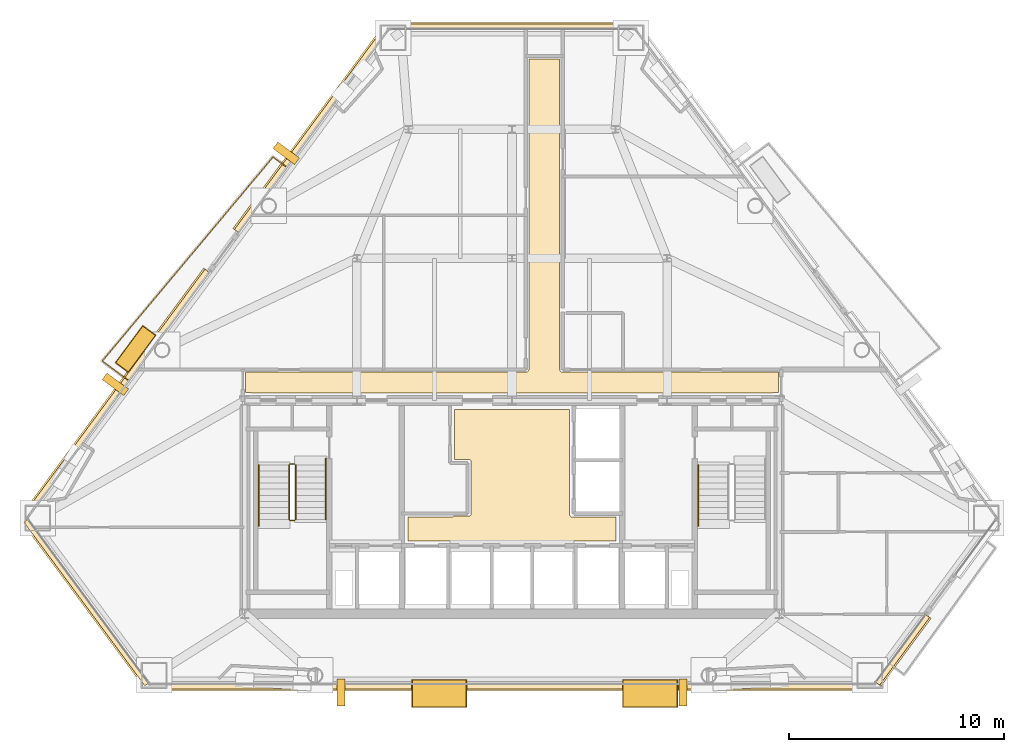
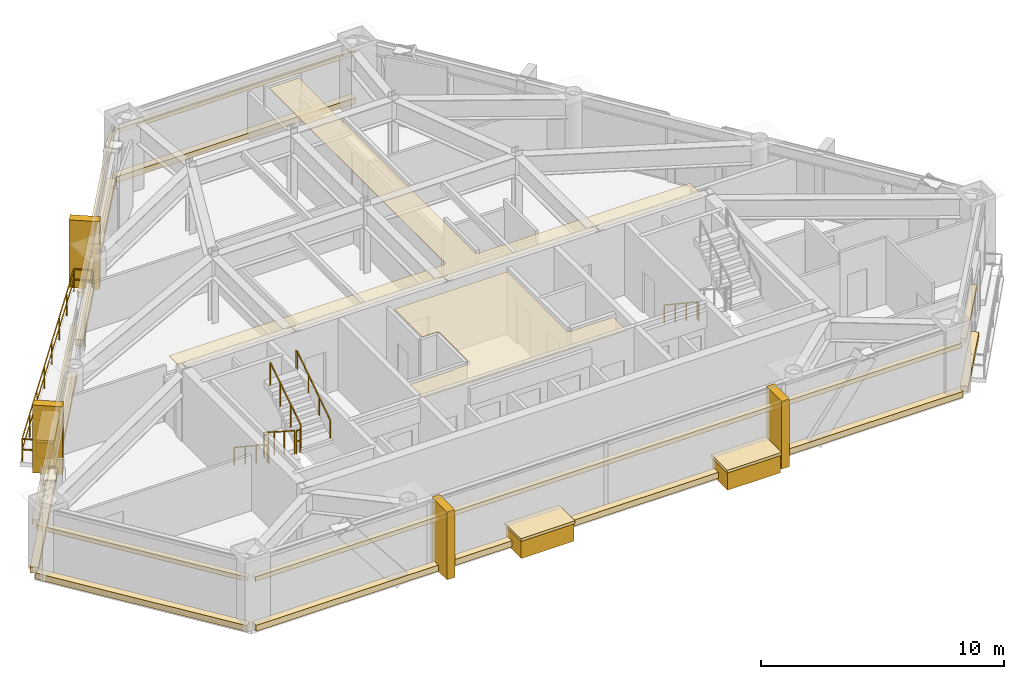
# One storey, part 10 of 11: 24 coverings, 8 railings.
"""IFC4 building model written with IfcOpenShell, lengths in metres."""

from ifc_helpers import new_model, si_unit, direction, frame, origin, origin_2d, place, context, subcontext, project, spatial, polyline, rectangle, outline, extrude, material, layer, layer_set, type_object, element, save


model = new_model("IFC4")

# Units and contexts
model_context = context("Model", 3, precision=1e-05, world=origin(), true_north=direction((0.0, 1.0)))
body_context = subcontext(model_context, "Body", "Model", "MODEL_VIEW")
ifc_project = project(units=[si_unit("LENGTHUNIT", "METRE"), si_unit("AREAUNIT", "SQUARE_METRE"), si_unit("VOLUMEUNIT", "CUBIC_METRE"), si_unit("PLANEANGLEUNIT", "RADIAN"), si_unit("MASSUNIT", "GRAM", prefix="KILO")], contexts=[model_context])

# Site, building, storey
site_placement = place(None, origin())
site = spatial("IfcSite", under=ifc_project, at=site_placement, CompositionType="ELEMENT")
building_placement = place(site_placement, origin())
building = spatial("IfcBuilding", under=site, at=building_placement, Name="Talgorran Terracotta Tower", CompositionType="ELEMENT")
storey_placement = place(building_placement, frame((0.0, 0.0, 125.699951171875)))
storey = spatial("IfcBuildingStorey", under=building, at=storey_placement, Name="L32", CompositionType="ELEMENT", Elevation=125.699951171875)

# Coverings
ifc_material_1 = material(Name="Kiln-Fired Terracotta Ochre Ceramic", Category="masonry")
ifc_layer_1 = layer(ifc_material_1, 0.179931640625, Name="COV_BAGUETTE_TERRACOTTA_SCREEN")
ifc_layer_set_1 = layer_set([ifc_layer_1], Name="Kiln-Fired Terracotta Ochre Ceramic")
covering_type_1 = type_object("IfcCoveringType", Name="COV_BAGUETTE_TERRACOTTA_SCREEN", PredefinedType="CLADDING", material=ifc_layer_set_1)
covering_1_placement = place(storey_placement, frame((-19.748291015625, -13.572021484375, 2.41015625), z_axis=(0.0, 0.0, 1.0), x_axis=(0.594640382106, -0.803991800934, 0.0)))
element("IfcCovering", 1, at=covering_1_placement, inside=storey, type_object=covering_type_1, Name="L32 Terracotta Baguette Solar Screen Assembly F0", PredefinedType="CLADDING", context=body_context, shape_type="SweptSolid", body=[
    extrude(rectangle(XDim=9.43896484375, YDim=0.260009765625, at=origin_2d()), origin(), (0.0, 0.0, 1.0), 0.219970703125),
])
covering_2_placement = place(storey_placement, frame((0.0, -17.46337890625, 2.41015625), z_axis=(0.0, 0.0, 1.0), x_axis=(1.0, 0.0, 0.0)))
element("IfcCovering", 2, at=covering_2_placement, inside=storey, type_object=covering_type_1, Name="L32 Terracotta Baguette Solar Screen Assembly F1", PredefinedType="CLADDING", context=body_context, shape_type="SweptSolid", body=[
    extrude(rectangle(XDim=33.5, YDim=0.260009765625, at=origin_2d()), origin(), (0.0, 0.0, 1.0), 0.219970703125),
])
covering_3_placement = place(storey_placement, frame((18.12548828125, -15.766357421875, 2.41015625), z_axis=(0.0, 0.0, 1.0), x_axis=(0.594640382106, 0.803991800934, 0.0)))
element("IfcCovering", 3, at=covering_3_placement, inside=storey, type_object=covering_type_1, Name="L32 Terracotta Baguette Solar Screen Assembly F30", PredefinedType="CLADDING", context=body_context, shape_type="SweptSolid", body=[
    extrude(rectangle(XDim=3.900146484375, YDim=0.260009765625, at=origin_2d()), origin(), (0.0, 0.0, 1.0), 0.219970703125),
])
covering_4_placement = place(storey_placement, frame((0.0, 13.141845703125, 2.41015625), z_axis=(0.0, 0.0, 1.0), x_axis=(-1.0, 0.0, 0.0)))
element("IfcCovering", 4, at=covering_4_placement, inside=storey, type_object=covering_type_1, Name="L32 Terracotta Baguette Solar Screen Assembly F4", PredefinedType="CLADDING", context=body_context, shape_type="SweptSolid", body=[
    extrude(rectangle(XDim=11.308349609375, YDim=0.260009765625, at=origin_2d()), origin(), (0.0, 0.0, 1.0), 0.219970703125),
])
covering_5_placement = place(storey_placement, frame((-9.326904296875, 8.3388671875, 2.41015625), z_axis=(0.0, 0.0, 1.0), x_axis=(-0.594640382106, -0.803991800934, 0.0)))
element("IfcCovering", 5, at=covering_5_placement, inside=storey, type_object=covering_type_1, Name="L32 Terracotta Baguette Solar Screen Assembly F60", PredefinedType="CLADDING", context=body_context, shape_type="SweptSolid", body=[
    extrude(rectangle(XDim=11.626953125, YDim=0.260009765625, at=origin_2d()), origin(), (0.0, 0.0, 1.0), 0.219970703125),
])
covering_6_placement = place(storey_placement, frame((-18.34130859375, -3.84912109375, 2.41015625), z_axis=(0.0, 0.0, 1.0), x_axis=(-0.594640382106, -0.803991800934, 0.0)))
element("IfcCovering", 6, at=covering_6_placement, inside=storey, type_object=covering_type_1, Name="L32 Terracotta Baguette Solar Screen Assembly F61", PredefinedType="CLADDING", context=body_context, shape_type="SweptSolid", body=[
    extrude(rectangle(XDim=14.091796875, YDim=0.260009765625, at=origin_2d()), origin(), (0.0, 0.0, 1.0), 0.219970703125),
])
ifc_material_2 = material(Name="Mineral Fibre Acoustic Tile")
ifc_layer_2 = layer(ifc_material_2, 0.02490234375, Name="COV_CEIL_ACOUSTIC")
ifc_layer_set_2 = layer_set([ifc_layer_2], Name="Mineral Fibre Acoustic Tile")
covering_type_2 = type_object("IfcCoveringType", Name="COV_CEIL_ACOUSTIC", PredefinedType="CEILING", material=ifc_layer_set_2)
covering_7_placement = place(storey_placement, frame((0.0, 0.0, 3.260009765625)))
element("IfcCovering", 7, at=covering_7_placement, inside=storey, type_object=covering_type_2, Name="CEIL-L32-2", PredefinedType="CEILING", context=body_context, shape_type="SweptSolid", body=[
    extrude(outline(polyline([(-12.364990234375, -2.885009765625), (0.64990234375, -2.885009765625), (0.66162109375, -2.884521484375), (0.67333984375, -2.8828125), (0.6845703125, -2.8798828125), (0.69287109375, -2.87744140625), (0.7041015625, -2.87353515625), (0.714599609375, -2.868408203125), (0.724853515625, -2.8623046875), (0.734375, -2.85546875), (0.742919921875, -2.847412109375), (0.7509765625, -2.8388671875), (0.756591796875, -2.83203125), (0.763671875, -2.822509765625), (0.769775390625, -2.8125), (0.774658203125, -2.8017578125), (0.77880859375, -2.79052734375), (0.781494140625, -2.779296875), (0.783203125, -2.767578125), (0.783935546875, -2.755615234375), (0.784912109375, 11.6650390625), (2.215087890625, 11.6650390625), (2.215087890625, -2.75), (2.215576171875, -2.76171875), (2.21728515625, -2.773193359375), (2.22021484375, -2.78466796875), (2.22265625, -2.79296875), (2.2265625, -2.803955078125), (2.231689453125, -2.814697265625), (2.237548828125, -2.82470703125), (2.24462890625, -2.834228515625), (2.25244140625, -2.843017578125), (2.26123046875, -2.850830078125), (2.26806640625, -2.8564453125), (2.277587890625, -2.863525390625), (2.28759765625, -2.86962890625), (2.29833984375, -2.874755859375), (2.309326171875, -2.878662109375), (2.32080078125, -2.881591796875), (2.33251953125, -2.88330078125), (2.34423828125, -2.8837890625), (12.364990234375, -2.885009765625), (12.364990234375, -3.830078125), (12.169921875, -3.830078125), (12.158203125, -3.83056640625), (12.146484375, -3.832275390625), (12.13525390625, -3.835205078125), (12.1240234375, -3.839111328125), (12.11328125, -3.84423828125), (12.112060546875, -3.844970703125), (7.432861328125, -3.844970703125), (6.968017578125, -3.843017578125), (6.967529296875, -3.843017578125), (0.232666015625, -3.844970703125), (-0.23193359375, -3.843017578125), (-0.232421875, -3.843017578125), (-6.96728515625, -3.844970703125), (-7.431884765625, -3.843017578125), (-7.4326171875, -3.843017578125), (-12.112060546875, -3.844970703125), (-12.11328125, -3.84423828125), (-12.1240234375, -3.839111328125), (-12.13525390625, -3.835205078125), (-12.146484375, -3.832275390625), (-12.158203125, -3.83056640625), (-12.169921875, -3.830078125), (-12.364990234375, -3.830078125), (-12.364990234375, -2.885009765625)])), origin(), (0.0, 0.0, 1.0), 0.02001953125),
])
ifc_material_3 = material(Name="Flush Moisture-Resistant Plaster")
ifc_layer_3 = layer(ifc_material_3, 0.01806640625, Name="COV_CEIL_PLASTER")
ifc_layer_set_3 = layer_set([ifc_layer_3], Name="Flush Moisture-Resistant Plaster")
covering_type_3 = type_object("IfcCoveringType", Name="COV_CEIL_PLASTER", PredefinedType="CEILING", material=ifc_layer_set_3)
covering_8_placement = place(storey_placement, frame((0.0, 0.0, 3.260009765625)))
element("IfcCovering", 8, at=covering_8_placement, inside=storey, type_object=covering_type_3, Name="CEIL-L32-1", PredefinedType="CEILING", context=body_context, shape_type="SweptSolid", body=[
    extrude(outline(polyline([(-2.70263671875, -9.570068359375), (-2.02001953125, -9.570068359375), (-2.00830078125, -9.5693359375), (-1.99658203125, -9.567626953125), (-1.985107421875, -9.564697265625), (-1.97412109375, -9.560791015625), (-1.96337890625, -9.555908203125), (-1.953369140625, -9.5498046875), (-1.94384765625, -9.542724609375), (-1.93505859375, -9.534912109375), (-1.92724609375, -9.526123046875), (-1.920166015625, -9.5166015625), (-1.914306640625, -9.506591796875), (-1.9091796875, -9.495849609375), (-1.9052734375, -9.48486328125), (-1.90234375, -9.473388671875), (-1.900634765625, -9.4619140625), (-1.89990234375, -9.449951171875), (-1.89990234375, -7.050048828125), (-1.900634765625, -7.0380859375), (-1.90234375, -7.026611328125), (-1.9052734375, -7.01513671875), (-1.9091796875, -7.004150390625), (-1.914306640625, -6.993408203125), (-1.920166015625, -6.9833984375), (-1.92724609375, -6.973876953125), (-1.93505859375, -6.965087890625), (-1.94384765625, -6.957275390625), (-1.953369140625, -6.9501953125), (-1.96337890625, -6.944091796875), (-1.97412109375, -6.939208984375), (-1.985107421875, -6.935302734375), (-1.99658203125, -6.932373046875), (-2.00830078125, -6.9306640625), (-2.02001953125, -6.929931640625), (-2.679931640625, -6.929931640625), (-2.679931640625, -4.6201171875), (2.679931640625, -4.6201171875), (2.679931640625, -9.5), (2.6806640625, -9.51171875), (2.682373046875, -9.5234375), (2.685302734375, -9.534912109375), (2.689208984375, -9.5458984375), (2.694091796875, -9.556640625), (2.7001953125, -9.566650390625), (2.707275390625, -9.576171875), (2.715087890625, -9.5849609375), (2.723876953125, -9.5927734375), (2.7333984375, -9.599853515625), (2.743408203125, -9.605712890625), (2.754150390625, -9.61083984375), (2.76513671875, -9.61474609375), (2.776611328125, -9.61767578125), (2.7880859375, -9.619384765625), (2.800048828125, -9.6201171875), (4.830078125, -9.6201171875), (4.830078125, -10.72998046875), (-4.830078125, -10.72998046875), (-4.830078125, -9.6201171875), (-2.800048828125, -9.6201171875), (-2.7880859375, -9.619384765625), (-2.776611328125, -9.61767578125), (-2.76513671875, -9.61474609375), (-2.754150390625, -9.61083984375), (-2.743408203125, -9.605712890625), (-2.7333984375, -9.599853515625), (-2.723876953125, -9.5927734375), (-2.715087890625, -9.5849609375), (-2.707275390625, -9.576171875), (-2.70263671875, -9.570068359375)])), origin(), (0.0, 0.0, 1.0), 0.02001953125),
])
ifc_material_4 = material(Name="Honed Limestone and Terracotta Planter", Category="masonry")
ifc_layer_4 = layer(ifc_material_4, 0.1201171875, Name="COV_PLANTER_BOX")
ifc_layer_set_4 = layer_set([ifc_layer_4], Name="Honed Limestone and Terracotta Planter")
covering_type_4 = type_object("IfcCoveringType", Name="COV_PLANTER_BOX", PredefinedType="CLADDING", material=ifc_layer_set_4)
for number, where, z_axis, x_axis, name in (
    (9, (6.41455078125, -17.80322265625, -0.179931640625), (0.0, 0.0, 1.0), (1.0, 0.0, 0.0), "L32 Staggered South Facade Planter Box 1"),
    (10, (-3.376220703125, -17.80322265625, -0.179931640625), (0.0, 0.0, 1.0), (1.0, 0.0, 0.0), "L32 Staggered South Facade Planter Box 2"),
):
    element("IfcCovering", number, at=place(storey_placement, frame(where, z_axis=z_axis, x_axis=x_axis)), inside=storey, type_object=covering_type_4, Name=name, PredefinedType="CLADDING", context=body_context, shape_type="SweptSolid", body=[
        extrude(rectangle(XDim=2.5, YDim=1.25, at=origin_2d()), origin(), (0.0, 0.0, 1.0), 0.919921875),
    ])
covering_9_placement = place(storey_placement, frame((-17.477783203125, -1.80859375, -0.02001953125), z_axis=(0.0, 0.0, 1.0), x_axis=(-0.594640382106, -0.803991800934, 0.0)))
element("IfcCovering", 11, at=covering_9_placement, inside=storey, type_object=covering_type_4, Name="L32 Staggered Balcony Planter Box BAL-NW", PredefinedType="CLADDING", context=body_context, shape_type="SweptSolid", body=[
    extrude(rectangle(XDim=2.10009765625, YDim=0.719970703125, at=origin_2d()), origin(), (0.0, 0.0, 1.0), 0.860107421875),
])
ifc_material_5 = material(Name="Kiln-Fired Terracotta Planter Rim", Category="masonry")
ifc_layer_5 = layer(ifc_material_5, 0.10009765625, Name="COV_PLANTER_RIM")
ifc_layer_set_5 = layer_set([ifc_layer_5], Name="Kiln-Fired Terracotta Planter Rim")
covering_type_5 = type_object("IfcCoveringType", Name="COV_PLANTER_RIM", PredefinedType="CLADDING", material=ifc_layer_set_5)
for number, where, z_axis, x_axis, name in (
    (12, (6.41455078125, -17.80322265625, 0.7099609375), (0.0, 0.0, 1.0), (1.0, 0.0, 0.0), "L32 South Planter Terracotta Rim 1"),
    (13, (-3.376220703125, -17.80322265625, 0.7099609375), (0.0, 0.0, 1.0), (1.0, 0.0, 0.0), "L32 South Planter Terracotta Rim 2"),
):
    element("IfcCovering", number, at=place(storey_placement, frame(where, z_axis=z_axis, x_axis=x_axis)), inside=storey, type_object=covering_type_5, Name=name, PredefinedType="CLADDING", context=body_context, shape_type="SweptSolid", body=[
        extrude(rectangle(XDim=2.580078125, YDim=1.320068359375, at=origin_2d()), origin(), (0.0, 0.0, 1.0), 0.139892578125),
    ])
covering_10_placement = place(storey_placement, frame((-17.477783203125, -1.80859375, 0.800048828125), z_axis=(0.0, 0.0, 1.0), x_axis=(-0.594640382106, -0.803991800934, 0.0)))
element("IfcCovering", 14, at=covering_10_placement, inside=storey, type_object=covering_type_5, Name="L32 Balcony Planter Terracotta Rim BAL-NW", PredefinedType="CLADDING", context=body_context, shape_type="SweptSolid", body=[
    extrude(rectangle(XDim=2.179931640625, YDim=0.780029296875, at=origin_2d()), origin(), (0.0, 0.0, 1.0), 0.1201171875),
])
ifc_material_6 = material(Name="Honed Limestone Cladding", Category="masonry")
ifc_layer_6 = layer(ifc_material_6, 0.094970703125, Name="COV_PORTAL_LIME")
ifc_layer_set_6 = layer_set([ifc_layer_6], Name="Honed Limestone Cladding")
covering_type_6 = type_object("IfcCoveringType", Name="COV_PORTAL_LIME", PredefinedType="CLADDING", material=ifc_layer_set_6)
covering_11_placement = place(storey_placement, frame((-19.780517578125, -13.595703125, -0.0400390625), z_axis=(0.0, 0.0, 1.0), x_axis=(0.594640382106, -0.803991800934, 0.0)))
element("IfcCovering", 15, at=covering_11_placement, inside=storey, type_object=covering_type_6, Name="L32 Striped Postmodern Portal Cladding Band F0", PredefinedType="CLADDING", context=body_context, shape_type="SweptSolid", body=[
    extrude(rectangle(XDim=9.458984375, YDim=0.340087890625, at=origin_2d()), origin(), (0.0, 0.0, 1.0), 0.300048828125),
])
covering_12_placement = place(storey_placement, frame((0.0, -17.50341796875, -0.0400390625), z_axis=(0.0, 0.0, 1.0), x_axis=(1.0, 0.0, 0.0)))
element("IfcCovering", 16, at=covering_12_placement, inside=storey, type_object=covering_type_6, Name="L32 Striped Postmodern Portal Cladding Band F1", PredefinedType="CLADDING", context=body_context, shape_type="SweptSolid", body=[
    extrude(rectangle(XDim=33.52001953125, YDim=0.340087890625, at=origin_2d()), origin(), (0.0, 0.0, 1.0), 0.300048828125),
])
covering_13_placement = place(storey_placement, frame((18.15771484375, -15.790283203125, -0.0400390625), z_axis=(0.0, 0.0, 1.0), x_axis=(0.594640382106, 0.803991800934, 0.0)))
element("IfcCovering", 17, at=covering_13_placement, inside=storey, type_object=covering_type_6, Name="L32 Striped Postmodern Portal Cladding Band F30", PredefinedType="CLADDING", context=body_context, shape_type="SweptSolid", body=[
    extrude(rectangle(XDim=3.920166015625, YDim=0.340087890625, at=origin_2d()), origin(), (0.0, 0.0, 1.0), 0.300048828125),
])
covering_14_placement = place(storey_placement, frame((0.0, 13.181884765625, -0.0400390625), z_axis=(0.0, 0.0, 1.0), x_axis=(-1.0, 0.0, 0.0)))
element("IfcCovering", 18, at=covering_14_placement, inside=storey, type_object=covering_type_6, Name="L32 Striped Postmodern Portal Cladding Band F4", PredefinedType="CLADDING", context=body_context, shape_type="SweptSolid", body=[
    extrude(rectangle(XDim=11.328369140625, YDim=0.340087890625, at=origin_2d()), origin(), (0.0, 0.0, 1.0), 0.300048828125),
])
covering_15_placement = place(storey_placement, frame((-9.359130859375, 8.362548828125, -0.0400390625), z_axis=(0.0, 0.0, 1.0), x_axis=(-0.594640382106, -0.803991800934, 0.0)))
element("IfcCovering", 19, at=covering_15_placement, inside=storey, type_object=covering_type_6, Name="L32 Striped Postmodern Portal Cladding Band F60", PredefinedType="CLADDING", context=body_context, shape_type="SweptSolid", body=[
    extrude(rectangle(XDim=11.64697265625, YDim=0.340087890625, at=origin_2d()), origin(), (0.0, 0.0, 1.0), 0.300048828125),
])
covering_16_placement = place(storey_placement, frame((-18.373291015625, -3.825439453125, -0.0400390625), z_axis=(0.0, 0.0, 1.0), x_axis=(-0.594640382106, -0.803991800934, 0.0)))
element("IfcCovering", 20, at=covering_16_placement, inside=storey, type_object=covering_type_6, Name="L32 Striped Postmodern Portal Cladding Band F61", PredefinedType="CLADDING", context=body_context, shape_type="SweptSolid", body=[
    extrude(rectangle(XDim=14.11181640625, YDim=0.340087890625, at=origin_2d()), origin(), (0.0, 0.0, 1.0), 0.300048828125),
])
for number, where, z_axis, x_axis, name in (
    (21, (7.933837890625, -17.76318359375, -0.0498046875), (0.0, 0.0, 1.0), (1.0, 0.0, 0.0), "L32 White Striped Portal Fin F1-2"),
    (22, (-18.4169921875, -3.447021484375, -0.0498046875), (0.0, 0.0, 1.0), (-0.594640382106, -0.803991800934, 0.0), "L32 White Striped Portal Fin F5-2"),
):
    element("IfcCovering", number, at=place(storey_placement, frame(where, z_axis=z_axis, x_axis=x_axis)), inside=storey, type_object=covering_type_6, Name=name, PredefinedType="CLADDING", context=body_context, shape_type="SweptSolid", body=[
        extrude(rectangle(XDim=0.3798828125, YDim=1.25, at=origin_2d()), origin(), (0.0, 0.0, 1.0), 3.39990234375),
    ])
ifc_material_7 = material(Name="Kiln-Fired Terracotta Cladding", Category="masonry")
ifc_layer_7 = layer(ifc_material_7, 0.090087890625, Name="COV_PORTAL_TERRA")
ifc_layer_set_7 = layer_set([ifc_layer_7], Name="Kiln-Fired Terracotta Cladding")
covering_type_7 = type_object("IfcCoveringType", Name="COV_PORTAL_TERRA", PredefinedType="CLADDING", material=ifc_layer_set_7)
for number, where, z_axis, x_axis, name in (
    (23, (-7.933837890625, -17.76318359375, -0.0498046875), (0.0, 0.0, 1.0), (1.0, 0.0, 0.0), "L32 Terracotta Striped Portal Fin F1-1"),
    (24, (-10.483154296875, 7.280029296875, -0.0498046875), (0.0, 0.0, 1.0), (-0.594640382106, -0.803991800934, 0.0), "L32 Terracotta Striped Portal Fin F5-1"),
):
    element("IfcCovering", number, at=place(storey_placement, frame(where, z_axis=z_axis, x_axis=x_axis)), inside=storey, type_object=covering_type_7, Name=name, PredefinedType="CLADDING", context=body_context, shape_type="SweptSolid", body=[
        extrude(rectangle(XDim=0.3798828125, YDim=1.25, at=origin_2d()), origin(), (0.0, 0.0, 1.0), 3.39990234375),
    ])

# Railings
ifc_material_8 = material(Name="Laminated Glass and Stainless Steel 316", Category="steel")
railing_type_1 = type_object("IfcRailingType", Name="RL_BALCONY_1150", PredefinedType="BALUSTRADE", material=ifc_material_8)
railing_1_placement = place(storey_placement, frame((-10.478515625, 6.6474609375, 0.0)))
element("IfcRailing", 25, at=railing_1_placement, inside=storey, type_object=railing_type_1, Name="RL-L32-BAL-BAL-NW", PredefinedType="BALUSTRADE", context=body_context, shape_type="SweptSolid", body=[
    extrude(rectangle(XDim=0.048095703125, YDim=0.048095703125, at=origin_2d()), frame((0.0, 0.0, 1.1259765625), z_axis=(-0.80398465246, 0.594650047177, 0.0), x_axis=(-0.594650047177, -0.80398465246, 0.0)), (0.0, 0.0, 1.0), 0.7685546875),
    extrude(rectangle(XDim=0.048095703125, YDim=0.048095703125, at=origin_2d()), frame((0.0, 0.0, 0.597900390625), z_axis=(-0.80398465246, 0.594650047177, 0.0), x_axis=(-0.594650047177, -0.80398465246, 0.0)), (0.0, 0.0, 1.0), 0.7685546875),
    extrude(rectangle(XDim=0.048095703125, YDim=0.048095703125, at=origin_2d()), frame((-0.617919921875, 0.45703125, 1.1259765625), z_axis=(-0.641771266299, -0.766896108839, 0.0), x_axis=(0.766896108839, -0.641771266299, 0.0)), (0.0, 0.0, 1.0), 12.352783203125),
    extrude(rectangle(XDim=0.048095703125, YDim=0.048095703125, at=origin_2d()), frame((-0.617919921875, 0.45703125, 0.597900390625), z_axis=(-0.641771266299, -0.766896108839, 0.0), x_axis=(0.766896108839, -0.641771266299, 0.0)), (0.0, 0.0, 1.0), 12.352783203125),
    extrude(rectangle(XDim=0.048095703125, YDim=0.048095703125, at=origin_2d()), frame((-8.545654296875, -9.016357421875, 1.1259765625), z_axis=(0.803981107868, -0.594654839542, 0.0), x_axis=(0.594654839542, 0.803981107868, 0.0)), (0.0, 0.0, 1.0), 1.50927734375),
    extrude(rectangle(XDim=0.048095703125, YDim=0.048095703125, at=origin_2d()), frame((-8.545654296875, -9.016357421875, 0.597900390625), z_axis=(0.803981107868, -0.594654839542, 0.0), x_axis=(0.594654839542, 0.803981107868, 0.0)), (0.0, 0.0, 1.0), 1.50927734375),
    extrude(rectangle(XDim=0.0419921875, YDim=0.0419921875, at=origin_2d()), origin(), (0.0, 0.0, 1.0), 1.101806640625),
    extrude(rectangle(XDim=0.0419921875, YDim=0.0419921875, at=origin_2d()), frame((-0.617919921875, 0.45703125, 0.0)), (0.0, 0.0, 1.0), 1.101806640625),
    extrude(rectangle(XDim=0.0419921875, YDim=0.0419921875, at=origin_2d()), frame((-1.75048828125, -0.896240234375, 0.0)), (0.0, 0.0, 1.0), 1.101806640625),
    extrude(rectangle(XDim=0.0419921875, YDim=0.0419921875, at=origin_2d()), frame((-2.883056640625, -2.249755859375, 0.0)), (0.0, 0.0, 1.0), 1.101806640625),
    extrude(rectangle(XDim=0.0419921875, YDim=0.0419921875, at=origin_2d()), frame((-4.015625, -3.60302734375, 0.0)), (0.0, 0.0, 1.0), 1.101806640625),
    extrude(rectangle(XDim=0.0419921875, YDim=0.0419921875, at=origin_2d()), frame((-5.14794921875, -4.956298828125, 0.0)), (0.0, 0.0, 1.0), 1.101806640625),
    extrude(rectangle(XDim=0.0419921875, YDim=0.0419921875, at=origin_2d()), frame((-6.280517578125, -6.3095703125, 0.0)), (0.0, 0.0, 1.0), 1.101806640625),
    extrude(rectangle(XDim=0.0419921875, YDim=0.0419921875, at=origin_2d()), frame((-7.4130859375, -7.6630859375, 0.0)), (0.0, 0.0, 1.0), 1.101806640625),
    extrude(rectangle(XDim=0.0419921875, YDim=0.0419921875, at=origin_2d()), frame((-8.545654296875, -9.016357421875, 0.0)), (0.0, 0.0, 1.0), 1.101806640625),
    extrude(rectangle(XDim=0.0419921875, YDim=0.0419921875, at=origin_2d()), frame((-7.332275390625, -9.913818359375, 0.0)), (0.0, 0.0, 1.0), 1.101806640625),
])
ifc_material_9 = material(Name="Steel S355 (300PLUS)", Category="steel")
railing_type_2 = type_object("IfcRailingType", Name="RL_HANDRAIL_920", PredefinedType="HANDRAIL", material=ifc_material_9)
railing_2_placement = place(storey_placement, frame((-11.75, -7.199951171875, 0.179931640625)))
element("IfcRailing", 26, at=railing_2_placement, inside=storey, type_object=railing_type_2, Name="L32 ST-01 stair handrail 1", PredefinedType="HANDRAIL", context=body_context, shape_type="SweptSolid", body=[
    extrude(rectangle(XDim=0.048095703125, YDim=0.048095703125, at=origin_2d()), frame((0.0, 0.0, 0.89599609375), z_axis=(0.0, -0.832038719335, 0.554717558338), x_axis=(1.0, 0.0, 0.0)), (0.0, 0.0, 1.0), 3.244873046875),
    extrude(rectangle(XDim=0.048095703125, YDim=0.048095703125, at=origin_2d()), frame((0.0, -2.699951171875, 2.69580078125), z_axis=(0.0, -1.0, 0.0), x_axis=(1.0, 0.0, 0.0)), (0.0, 0.0, 1.0), 0.1201171875),
    extrude(rectangle(XDim=0.0419921875, YDim=0.0419921875, at=origin_2d()), origin(), (0.0, 0.0, 1.0), 0.871826171875),
    extrude(rectangle(XDim=0.0419921875, YDim=0.0419921875, at=origin_2d()), frame((0.0, -0.89990234375, 0.60009765625)), (0.0, 0.0, 1.0), 0.871826171875),
    extrude(rectangle(XDim=0.0419921875, YDim=0.0419921875, at=origin_2d()), frame((0.0, -1.800048828125, 1.199951171875)), (0.0, 0.0, 1.0), 0.871826171875),
    extrude(rectangle(XDim=0.0419921875, YDim=0.0419921875, at=origin_2d()), frame((0.0, -2.699951171875, 1.800048828125)), (0.0, 0.0, 1.0), 0.871826171875),
    extrude(rectangle(XDim=0.0419921875, YDim=0.0419921875, at=origin_2d()), frame((0.0, -2.820068359375, 1.800048828125)), (0.0, 0.0, 1.0), 0.871826171875),
])
railing_3_placement = place(storey_placement, frame((-8.64990234375, -9.719970703125, 1.97998046875)))
element("IfcRailing", 27, at=railing_3_placement, inside=storey, type_object=railing_type_2, Name="L32 ST-01 stair handrail 2", PredefinedType="HANDRAIL", context=body_context, shape_type="SweptSolid", body=[
    extrude(rectangle(XDim=0.048095703125, YDim=0.048095703125, at=origin_2d()), frame((0.0, 0.0, 0.89599609375), z_axis=(0.0, 0.832038719335, 0.554717558338), x_axis=(-1.0, 0.0, 0.0)), (0.0, 0.0, 1.0), 3.244873046875),
    extrude(rectangle(XDim=0.048095703125, YDim=0.048095703125, at=origin_2d()), frame((0.0, 2.699951171875, 2.69580078125), z_axis=(0.0, 1.0, 0.0), x_axis=(-1.0, 0.0, 0.0)), (0.0, 0.0, 1.0), 0.1201171875),
    extrude(rectangle(XDim=0.0419921875, YDim=0.0419921875, at=origin_2d()), origin(), (0.0, 0.0, 1.0), 0.871826171875),
    extrude(rectangle(XDim=0.0419921875, YDim=0.0419921875, at=origin_2d()), frame((0.0, 0.89990234375, 0.60009765625)), (0.0, 0.0, 1.0), 0.871826171875),
    extrude(rectangle(XDim=0.0419921875, YDim=0.0419921875, at=origin_2d()), frame((0.0, 1.800048828125, 1.199951171875)), (0.0, 0.0, 1.0), 0.871826171875),
    extrude(rectangle(XDim=0.0419921875, YDim=0.0419921875, at=origin_2d()), frame((0.0, 2.699951171875, 1.800048828125)), (0.0, 0.0, 1.0), 0.871826171875),
    extrude(rectangle(XDim=0.0419921875, YDim=0.0419921875, at=origin_2d()), frame((0.0, 2.820068359375, 1.800048828125)), (0.0, 0.0, 1.0), 0.871826171875),
])
railing_4_placement = place(storey_placement, frame((8.64990234375, -7.199951171875, 0.179931640625)))
element("IfcRailing", 28, at=railing_4_placement, inside=storey, type_object=railing_type_2, Name="L32 ST-02 stair handrail 1", PredefinedType="HANDRAIL", context=body_context, shape_type="SweptSolid", body=[
    extrude(rectangle(XDim=0.048095703125, YDim=0.048095703125, at=origin_2d()), frame((0.0, 0.0, 0.89599609375), z_axis=(0.0, -0.832038719335, 0.554717558338), x_axis=(1.0, 0.0, 0.0)), (0.0, 0.0, 1.0), 3.244873046875),
    extrude(rectangle(XDim=0.048095703125, YDim=0.048095703125, at=origin_2d()), frame((0.0, -2.699951171875, 2.69580078125), z_axis=(0.0, -1.0, 0.0), x_axis=(1.0, 0.0, 0.0)), (0.0, 0.0, 1.0), 0.1201171875),
    extrude(rectangle(XDim=0.0419921875, YDim=0.0419921875, at=origin_2d()), origin(), (0.0, 0.0, 1.0), 0.871826171875),
    extrude(rectangle(XDim=0.0419921875, YDim=0.0419921875, at=origin_2d()), frame((0.0, -0.89990234375, 0.60009765625)), (0.0, 0.0, 1.0), 0.871826171875),
    extrude(rectangle(XDim=0.0419921875, YDim=0.0419921875, at=origin_2d()), frame((0.0, -1.800048828125, 1.199951171875)), (0.0, 0.0, 1.0), 0.871826171875),
    extrude(rectangle(XDim=0.0419921875, YDim=0.0419921875, at=origin_2d()), frame((0.0, -2.699951171875, 1.800048828125)), (0.0, 0.0, 1.0), 0.871826171875),
    extrude(rectangle(XDim=0.0419921875, YDim=0.0419921875, at=origin_2d()), frame((0.0, -2.820068359375, 1.800048828125)), (0.0, 0.0, 1.0), 0.871826171875),
])
railing_type_3 = type_object("IfcRailingType", Name="RL_STAIR_GUARD", PredefinedType="GUARDRAIL", material=ifc_material_9)
railing_5_placement = place(storey_placement, frame((-10.35009765625, -7.199951171875, 0.179931640625)))
element("IfcRailing", 29, at=railing_5_placement, inside=storey, type_object=railing_type_3, Name="L32 ST-01 stair guard 1", PredefinedType="GUARDRAIL", context=body_context, shape_type="SweptSolid", body=[
    extrude(rectangle(XDim=0.048095703125, YDim=0.048095703125, at=origin_2d()), frame((0.0, 0.0, 1.15576171875), z_axis=(0.0, -0.841162588446, 0.540782303519), x_axis=(1.0, 0.0, 0.0)), (0.0, 0.0, 1.0), 2.995849609375),
    extrude(rectangle(XDim=0.0419921875, YDim=0.0419921875, at=origin_2d()), origin(), (0.0, 0.0, 1.0), 1.1318359375),
    extrude(rectangle(XDim=0.0419921875, YDim=0.0419921875, at=origin_2d()), frame((0.0, -0.840087890625, 0.5400390625)), (0.0, 0.0, 1.0), 1.1318359375),
    extrude(rectangle(XDim=0.0419921875, YDim=0.0419921875, at=origin_2d()), frame((0.0, -1.679931640625, 1.080078125)), (0.0, 0.0, 1.0), 1.1318359375),
    extrude(rectangle(XDim=0.0419921875, YDim=0.0419921875, at=origin_2d()), frame((0.0, -2.52001953125, 1.6201171875)), (0.0, 0.0, 1.0), 1.1318359375),
])
railing_6_placement = place(storey_placement, frame((-10.300048828125, -9.77001953125, 1.800048828125)))
element("IfcRailing", 30, at=railing_6_placement, inside=storey, type_object=railing_type_3, Name="L32 ST-01 stair guard 2", PredefinedType="GUARDRAIL", context=body_context, shape_type="SweptSolid", body=[
    extrude(rectangle(XDim=0.048095703125, YDim=0.048095703125, at=origin_2d()), frame((0.0, 0.0, 1.15576171875), z_axis=(1.0, 0.0, 0.0), x_axis=(0.0, 1.0, 0.0)), (0.0, 0.0, 1.0), 0.199951171875),
    extrude(rectangle(XDim=0.048095703125, YDim=0.048095703125, at=origin_2d()), frame((0.0, 0.0, 0.613525390625), z_axis=(1.0, 0.0, 0.0), x_axis=(0.0, 1.0, 0.0)), (0.0, 0.0, 1.0), 0.199951171875),
    extrude(rectangle(XDim=0.0419921875, YDim=0.0419921875, at=origin_2d()), origin(), (0.0, 0.0, 1.0), 1.1318359375),
    extrude(rectangle(XDim=0.0419921875, YDim=0.0419921875, at=origin_2d()), frame((0.199951171875, 0.0, 0.0)), (0.0, 0.0, 1.0), 1.1318359375),
])
railing_7_placement = place(storey_placement, frame((-10.050048828125, -9.719970703125, 1.97998046875)))
element("IfcRailing", 31, at=railing_7_placement, inside=storey, type_object=railing_type_3, Name="L32 ST-01 stair guard 3", PredefinedType="GUARDRAIL", context=body_context, shape_type="SweptSolid", body=[
    extrude(rectangle(XDim=0.048095703125, YDim=0.048095703125, at=origin_2d()), frame((0.0, 0.0, 1.15576171875), z_axis=(0.0, 0.841162588446, 0.540782303519), x_axis=(-1.0, 0.0, 0.0)), (0.0, 0.0, 1.0), 2.995849609375),
    extrude(rectangle(XDim=0.0419921875, YDim=0.0419921875, at=origin_2d()), origin(), (0.0, 0.0, 1.0), 1.1318359375),
    extrude(rectangle(XDim=0.0419921875, YDim=0.0419921875, at=origin_2d()), frame((0.0, 0.840087890625, 0.5400390625)), (0.0, 0.0, 1.0), 1.1318359375),
    extrude(rectangle(XDim=0.0419921875, YDim=0.0419921875, at=origin_2d()), frame((0.0, 1.679931640625, 1.080078125)), (0.0, 0.0, 1.0), 1.1318359375),
    extrude(rectangle(XDim=0.0419921875, YDim=0.0419921875, at=origin_2d()), frame((0.0, 2.52001953125, 1.6201171875)), (0.0, 0.0, 1.0), 1.1318359375),
])
railing_8_placement = place(storey_placement, frame((-10.300048828125, -7.14990234375, 0.0)))
element("IfcRailing", 32, at=railing_8_placement, inside=storey, type_object=railing_type_3, Name="L32 ST-01 stair guard 4", PredefinedType="GUARDRAIL", context=body_context, shape_type="SweptSolid", body=[
    extrude(rectangle(XDim=0.048095703125, YDim=0.048095703125, at=origin_2d()), frame((0.0, 0.0, 1.15576171875), z_axis=(1.0, 0.0, 0.0), x_axis=(0.0, 1.0, 0.0)), (0.0, 0.0, 1.0), 0.199951171875),
    extrude(rectangle(XDim=0.048095703125, YDim=0.048095703125, at=origin_2d()), frame((0.0, 0.0, 0.613525390625), z_axis=(1.0, 0.0, 0.0), x_axis=(0.0, 1.0, 0.0)), (0.0, 0.0, 1.0), 0.199951171875),
    extrude(rectangle(XDim=0.0419921875, YDim=0.0419921875, at=origin_2d()), origin(), (0.0, 0.0, 1.0), 1.1318359375),
    extrude(rectangle(XDim=0.0419921875, YDim=0.0419921875, at=origin_2d()), frame((0.199951171875, 0.0, 0.0)), (0.0, 0.0, 1.0), 1.1318359375),
])

save(model, "model.ifc")
